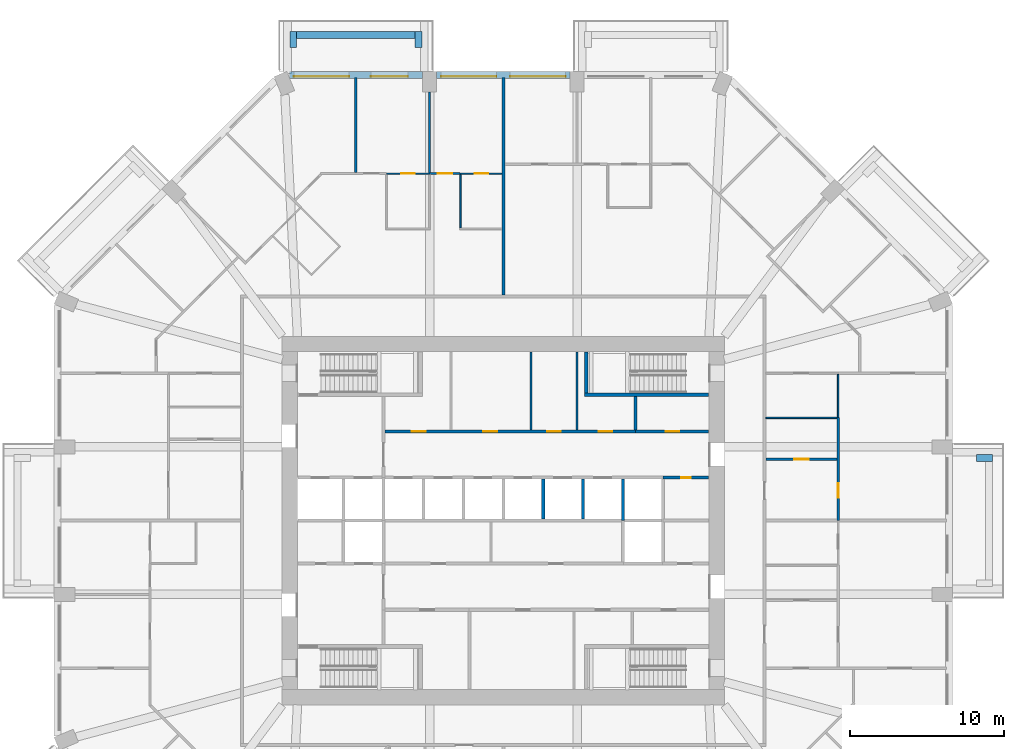
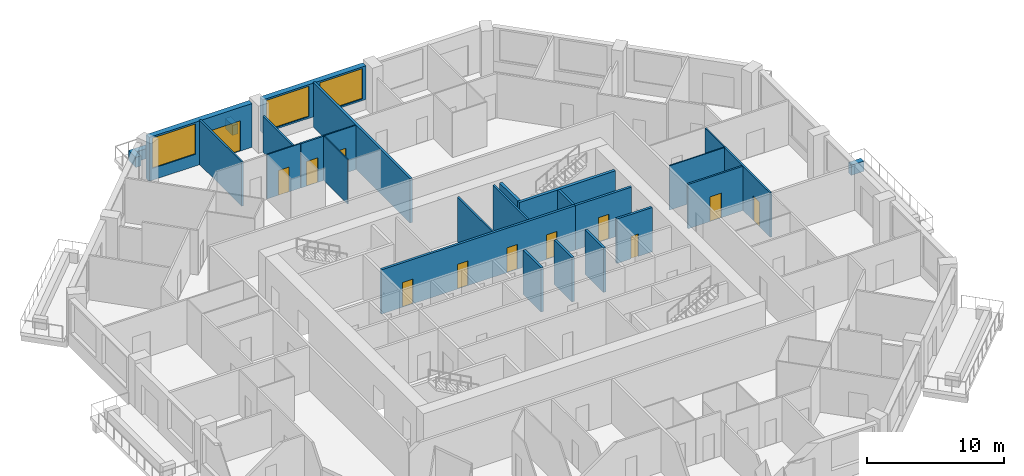
# One storey, part 9 of 13: 28 walls, 12 doors, 3 windows, 15 openings.
"""IFC4 building model written with IfcOpenShell, lengths in metres."""

from ifc_helpers import new_model, si_unit, direction, frame, frame_2d, origin, place, context, subcontext, project, spatial, rectangle, extrude, material, layer, layer_set, type_object, element, fill, save


model = new_model("IFC4")

# Units and contexts
model_context = context("Model", 3, precision=1e-05, world=origin(), true_north=direction((0.0, 1.0)))
body_context = subcontext(model_context, "Body", "Model", "MODEL_VIEW")
ifc_project = project(units=[si_unit("LENGTHUNIT", "METRE"), si_unit("AREAUNIT", "SQUARE_METRE"), si_unit("VOLUMEUNIT", "CUBIC_METRE"), si_unit("PLANEANGLEUNIT", "RADIAN"), si_unit("MASSUNIT", "GRAM", prefix="KILO")], contexts=[model_context])

# Site, building, storey
site_placement = place(None, origin())
site = spatial("IfcSite", under=ifc_project, at=site_placement, CompositionType="ELEMENT")
building_placement = place(site_placement, origin())
building = spatial("IfcBuilding", under=site, at=building_placement, Name="Msitu Wima Residences", CompositionType="ELEMENT")
storey_placement = place(building_placement, frame((0.0, 0.0, 42.300048828125)))
storey = spatial("IfcBuildingStorey", under=building, at=storey_placement, Name="L09", CompositionType="ELEMENT", Elevation=42.300048828125)

# Walls
ifc_material_1 = material(Name="Facing brick")
ifc_layer_1 = layer(ifc_material_1, 0.06494140625, Name="Facing brick")
ifc_material_2 = material(Name="Concrete C40/50", Category="concrete")
ifc_layer_2 = layer(ifc_material_2, 0.156005859375, Name="Concrete C40/50")
ifc_material_3 = material(Name="Waterproofing membrane")
ifc_layer_3 = layer(ifc_material_3, 0.00390625, Name="Waterproofing membrane")
ifc_material_4 = material(Name="Planting soil and planting")
ifc_layer_4 = layer(ifc_material_4, 0.22509765625, Name="Planting soil and planting")
ifc_layer_set_1 = layer_set([ifc_layer_1, ifc_layer_2, ifc_layer_3, ifc_layer_4], Name="Concrete C40/50")
wall_type_1 = type_object("IfcWallType", Name="Balcony planter PLANTER PL450", PredefinedType="USERDEFINED", material=ifc_layer_set_1)
wall_1_placement = place(storey_placement, frame((30.800048828125, 4.074951171875, 0.0), z_axis=(0.0, 0.0, 1.0), x_axis=(1.0, 0.0, 0.0)))
element("IfcWall", 1, at=wall_1_placement, inside=storey, type_object=wall_type_1, Name="Balcony planter E1 L09", ObjectType="PLANTER", PredefinedType="USERDEFINED", context=body_context, shape_type="SweptSolid", body=[
    extrude(rectangle(XDim=1.050048828125, YDim=0.449951171875, at=frame_2d((0.52490234375, 0.0))), origin(), (0.0, 0.0, 1.0), 0.89990234375),
])
wall_2_placement = place(storey_placement, frame((-5.75, 31.625, 0.0), z_axis=(0.0, 0.0, 1.0), x_axis=(-1.0, 0.0, 0.0)))
element("IfcWall", 2, at=wall_2_placement, inside=storey, type_object=wall_type_1, Name="Balcony planter N2 L09", ObjectType="PLANTER", PredefinedType="USERDEFINED", context=body_context, shape_type="SweptSolid", body=[
    extrude(rectangle(XDim=7.699951171875, YDim=0.449951171875, at=frame_2d((3.85009765625, 0.0))), origin(), (0.0, 0.0, 1.0), 0.89990234375),
])
for number, where, z_axis, x_axis, name in (
    (3, (-5.52490234375, 30.800048828125, 0.0), (0.0, 0.0, 1.0), (0.0, 1.0, 0.0), "Balcony planter N2 L09"),
    (4, (-13.675048828125, 30.800048828125, 0.0), (0.0, 0.0, 1.0), (0.0, 1.0, 0.0), "Balcony planter N2 L09"),
):
    element("IfcWall", number, at=place(storey_placement, frame(where, z_axis=z_axis, x_axis=x_axis)), inside=storey, type_object=wall_type_1, Name=name, ObjectType="PLANTER", PredefinedType="USERDEFINED", context=body_context, shape_type="SweptSolid", body=[
        extrude(rectangle(XDim=1.050048828125, YDim=0.449951171875, at=frame_2d((0.52490234375, 0.0))), origin(), (0.0, 0.0, 1.0), 0.89990234375),
    ])

# Wall, openings, windows
ifc_material_5 = material(Name="Brick (red buff mix)", Category="masonry")
ifc_layer_5 = layer(ifc_material_5, 0.449951171875)
ifc_layer_set_2 = layer_set([ifc_layer_5], Name="Brick (red buff mix)")
wall_type_2 = type_object("IfcWallType", Name="Brick infill wall BW450", PredefinedType="SOLIDWALL", material=ifc_layer_set_2)
wall_3_placement = place(storey_placement, frame((4.35009765625, 29.02490234375, 0.89990234375), z_axis=(0.0, 0.0, 1.0), x_axis=(-1.0, 0.0, 0.0)))
wall_3 = element("IfcWall", 5, at=wall_3_placement, inside=storey, type_object=wall_type_2, Name="Brick infill wall L09 N1", PredefinedType="SOLIDWALL", context=body_context, shape_type="SweptSolid", body=[
    extrude(rectangle(XDim=8.7001953125, YDim=0.449951171875, at=frame_2d((4.35009765625, 0.0))), origin(), (0.0, 0.0, 1.0), 3.0),
])
opening_1_placement = place(wall_3_placement, frame((0.300048828125, 0.0, 0.14990234375)))
opening_1 = element("IfcOpeningElement", 6, at=opening_1_placement, cuts=wall_3, Name="Opening W08-10.007", PredefinedType="OPENING", context=body_context, shape_type="SweptSolid", body=[
    extrude(rectangle(XDim=3.60009765625, YDim=2.699951171875, at=frame_2d((1.800048828125, 1.35009765625))), frame((0.0, 0.23486328125, 0.0), z_axis=(0.0, -1.0, 0.0), x_axis=(1.0, 0.0, 0.0)), (0.0, 0.0, 1.0), 0.469970703125),
])
opening_2_placement = place(wall_3_placement, frame((4.800048828125, 0.0, 0.14990234375)))
opening_2 = element("IfcOpeningElement", 7, at=opening_2_placement, cuts=wall_3, Name="Opening W08-10.008", PredefinedType="OPENING", context=body_context, shape_type="SweptSolid", body=[
    extrude(rectangle(XDim=3.60009765625, YDim=2.699951171875, at=frame_2d((1.800048828125, 1.35009765625))), frame((0.0, 0.23486328125, 0.0), z_axis=(0.0, -1.0, 0.0), x_axis=(1.0, 0.0, 0.0)), (0.0, 0.0, 1.0), 0.469970703125),
])
ifc_material_6 = material(Name="Anodised aluminium, bronze finish, clear low-emissivity double glazing", Category="aluminium")
window_type = type_object("IfcWindowType", Name="Window W3600x2700", PartitioningType="DOUBLE_PANEL_VERTICAL", PredefinedType="WINDOW", material=ifc_material_6)
window_1_placement = place(opening_1_placement, origin())
window_1 = element("IfcWindow", 8, at=window_1_placement, inside=storey, type_object=window_type, Name="Window L09 N1.1", OverallHeight=2.699951171875, OverallWidth=3.60009765625, PartitioningType="SINGLE_PANEL", PredefinedType="WINDOW", context=body_context, shape_type="SweptSolid", body=[
    extrude(rectangle(XDim=3.60009765625, YDim=2.699951171875, at=frame_2d((1.800048828125, 1.35009765625))), frame((0.0, 0.135009765625, 0.0), z_axis=(0.0, -1.0, 0.0), x_axis=(1.0, 0.0, 0.0)), (0.0, 0.0, 1.0), 0.06005859375),
])
fill(opening_1, window_1)
window_2_placement = place(opening_2_placement, origin())
window_2 = element("IfcWindow", 9, at=window_2_placement, inside=storey, type_object=window_type, Name="Window L09 N1.2", OverallHeight=2.699951171875, OverallWidth=3.60009765625, PartitioningType="SINGLE_PANEL", PredefinedType="WINDOW", context=body_context, shape_type="SweptSolid", body=[
    extrude(rectangle(XDim=3.60009765625, YDim=2.699951171875, at=frame_2d((1.800048828125, 1.35009765625))), frame((0.0, 0.135009765625, 0.0), z_axis=(0.0, -1.0, 0.0), x_axis=(1.0, 0.0, 0.0)), (0.0, 0.0, 1.0), 0.06005859375),
])
fill(opening_2, window_2)

# Wall, openings, door, window
wall_4_placement = place(storey_placement, frame((-5.25, 29.02490234375, 0.0), z_axis=(0.0, 0.0, 1.0), x_axis=(-1.0, 0.0, 0.0)))
wall_4 = element("IfcWall", 10, at=wall_4_placement, inside=storey, type_object=wall_type_2, Name="Brick infill wall L09 N2", PredefinedType="SOLIDWALL", context=body_context, shape_type="SweptSolid", body=[
    extrude(rectangle(XDim=8.662841796875, YDim=0.449951171875, at=frame_2d((4.33154296875, 0.0))), origin(), (0.0, 0.0, 1.0), 3.89990234375),
])
opening_3_placement = place(wall_4_placement, frame((0.9658203125, 0.0, 0.0)))
opening_3 = element("IfcOpeningElement", 11, at=opening_3_placement, cuts=wall_4, Name="Opening D08-10.003", PredefinedType="OPENING", context=body_context, shape_type="SweptSolid", body=[
    extrude(rectangle(XDim=2.39990234375, YDim=2.699951171875, at=frame_2d((1.199951171875, 1.35009765625))), frame((0.0, 0.23486328125, 0.0), z_axis=(0.0, -1.0, 0.0), x_axis=(1.0, 0.0, 0.0)), (0.0, 0.0, 1.0), 0.469970703125),
])
opening_4_placement = place(wall_4_placement, frame((4.781494140625, 0.0, 1.050048828125)))
opening_4 = element("IfcOpeningElement", 12, at=opening_4_placement, cuts=wall_4, Name="Opening W08-10.009", PredefinedType="OPENING", context=body_context, shape_type="SweptSolid", body=[
    extrude(rectangle(XDim=3.60009765625, YDim=2.699951171875, at=frame_2d((1.800048828125, 1.35009765625))), frame((0.0, 0.23486328125, 0.0), z_axis=(0.0, -1.0, 0.0), x_axis=(1.0, 0.0, 0.0)), (0.0, 0.0, 1.0), 0.469970703125),
])
door_type_1 = type_object("IfcDoorType", Name="Balcony door D2400x2700", OperationType="SLIDING_TO_LEFT", PredefinedType="DOOR", material=ifc_material_6)
door_1_placement = place(opening_3_placement, origin())
door_1 = element("IfcDoor", 13, at=door_1_placement, inside=storey, type_object=door_type_1, Name="Balcony door L09 N2", OperationType="SINGLE_SWING_LEFT", OverallHeight=2.699951171875, OverallWidth=2.39990234375, PredefinedType="DOOR", context=body_context, shape_type="SweptSolid", body=[
    extrude(rectangle(XDim=2.39990234375, YDim=2.699951171875, at=frame_2d((1.199951171875, 1.35009765625))), frame((0.0, 0.1298828125, 0.0), z_axis=(0.0, -1.0, 0.0), x_axis=(1.0, 0.0, 0.0)), (0.0, 0.0, 1.0), 0.050048828125),
])
fill(opening_3, door_1)
window_3_placement = place(opening_4_placement, origin())
window_3 = element("IfcWindow", 14, at=window_3_placement, inside=storey, type_object=window_type, Name="Window L09 N2.2", OverallHeight=2.699951171875, OverallWidth=3.60009765625, PartitioningType="SINGLE_PANEL", PredefinedType="WINDOW", context=body_context, shape_type="SweptSolid", body=[
    extrude(rectangle(XDim=3.60009765625, YDim=2.699951171875, at=frame_2d((1.800048828125, 1.35009765625))), frame((0.0, 0.135009765625, 0.0), z_axis=(0.0, -1.0, 0.0), x_axis=(1.0, 0.0, 0.0)), (0.0, 0.0, 1.0), 0.06005859375),
])
fill(opening_4, window_3)

# Wall, openings, doors
ifc_material_7 = material(Name="Plaster")
ifc_layer_6 = layer(ifc_material_7, 0.011962890625, Name="Plaster")
ifc_material_8 = material(Name="Concrete blockwork", Category="masonry")
ifc_layer_7 = layer(ifc_material_8, 0.176025390625, Name="Concrete blockwork")
ifc_layer_8 = layer(ifc_material_7, 0.011962890625, Name="Plaster")
ifc_layer_set_3 = layer_set([ifc_layer_6, ifc_layer_7, ifc_layer_8], Name="Concrete blockwork")
wall_type_3 = type_object("IfcWallType", Name="Corridor wall FW200", PredefinedType="PARTITIONING", material=ifc_layer_set_3)
wall_5_placement = place(storey_placement, frame((-7.699951171875, 5.800048828125, 0.0), z_axis=(0.0, 0.0, 1.0), x_axis=(1.0, 0.0, 0.0)))
wall_5 = element("IfcWall", 15, at=wall_5_placement, inside=storey, type_object=wall_type_3, Name="Corridor wall", PredefinedType="PARTITIONING", context=body_context, shape_type="SweptSolid", body=[
    extrude(rectangle(XDim=16.320068359375, YDim=0.199951171875, at=frame_2d((8.16015625, 0.0))), origin(), (0.0, 0.0, 1.0), 3.949951171875),
])
opening_5_placement = place(wall_5_placement, frame((1.75, 0.0, 0.0)))
opening_5 = element("IfcOpeningElement", 16, at=opening_5_placement, cuts=wall_5, Name="Opening D08-10.020", PredefinedType="OPENING", context=body_context, shape_type="SweptSolid", body=[
    extrude(rectangle(XDim=0.89990234375, YDim=2.199951171875, at=frame_2d((0.449951171875, 1.10009765625))), frame((0.0, 0.10986328125, 0.0), z_axis=(0.0, -1.0, 0.0), x_axis=(1.0, 0.0, 0.0)), (0.0, 0.0, 1.0), 0.219970703125),
])
opening_6_placement = place(wall_5_placement, frame((6.39990234375, 0.0, 0.0)))
opening_6 = element("IfcOpeningElement", 17, at=opening_6_placement, cuts=wall_5, Name="Opening D08-10.021", PredefinedType="OPENING", context=body_context, shape_type="SweptSolid", body=[
    extrude(rectangle(XDim=0.89990234375, YDim=2.199951171875, at=frame_2d((0.449951171875, 1.10009765625))), frame((0.0, 0.10986328125, 0.0), z_axis=(0.0, -1.0, 0.0), x_axis=(1.0, 0.0, 0.0)), (0.0, 0.0, 1.0), 0.219970703125),
])
opening_7_placement = place(wall_5_placement, frame((10.550048828125, 0.0, 0.0)))
opening_7 = element("IfcOpeningElement", 18, at=opening_7_placement, cuts=wall_5, Name="Opening D08-10.022", PredefinedType="OPENING", context=body_context, shape_type="SweptSolid", body=[
    extrude(rectangle(XDim=0.89990234375, YDim=2.199951171875, at=frame_2d((0.449951171875, 1.10009765625))), frame((0.0, 0.10986328125, 0.0), z_axis=(0.0, -1.0, 0.0), x_axis=(1.0, 0.0, 0.0)), (0.0, 0.0, 1.0), 0.219970703125),
])
opening_8_placement = place(wall_5_placement, frame((13.89990234375, 0.0, 0.0)))
opening_8 = element("IfcOpeningElement", 19, at=opening_8_placement, cuts=wall_5, Name="Opening D08-10.023", PredefinedType="OPENING", context=body_context, shape_type="SweptSolid", body=[
    extrude(rectangle(XDim=0.89990234375, YDim=2.199951171875, at=frame_2d((0.449951171875, 1.10009765625))), frame((0.0, 0.10986328125, 0.0), z_axis=(0.0, -1.0, 0.0), x_axis=(1.0, 0.0, 0.0)), (0.0, 0.0, 1.0), 0.219970703125),
])
ifc_material_9 = material(Name="Timber flush door", Category="wood")
door_type_2 = type_object("IfcDoorType", Name="Service door D05 900x2200", OperationType="SINGLE_SWING_LEFT", PredefinedType="DOOR", material=ifc_material_9)
door_2_placement = place(opening_5_placement, origin())
door_2 = element("IfcDoor", 20, at=door_2_placement, inside=storey, type_object=door_type_2, Name="Service door", OperationType="SINGLE_SWING_RIGHT", OverallHeight=2.199951171875, OverallWidth=0.89990234375, PredefinedType="DOOR", context=body_context, shape_type="SweptSolid", body=[
    extrude(rectangle(XDim=0.89990234375, YDim=2.199951171875, at=frame_2d((0.449951171875, 1.10009765625))), frame((0.0, 0.02490234375, 0.0), z_axis=(0.0, -1.0, 0.0), x_axis=(1.0, 0.0, 0.0)), (0.0, 0.0, 1.0), 0.050048828125),
])
fill(opening_5, door_2)
door_3_placement = place(opening_6_placement, origin())
door_3 = element("IfcDoor", 21, at=door_3_placement, inside=storey, type_object=door_type_2, Name="Service door", OperationType="SINGLE_SWING_LEFT", OverallHeight=2.199951171875, OverallWidth=0.89990234375, PredefinedType="DOOR", context=body_context, shape_type="SweptSolid", body=[
    extrude(rectangle(XDim=0.89990234375, YDim=2.199951171875, at=frame_2d((0.449951171875, 1.10009765625))), frame((0.0, 0.02490234375, 0.0), z_axis=(0.0, -1.0, 0.0), x_axis=(1.0, 0.0, 0.0)), (0.0, 0.0, 1.0), 0.050048828125),
])
fill(opening_6, door_3)
door_4_placement = place(opening_7_placement, origin())
door_4 = element("IfcDoor", 22, at=door_4_placement, inside=storey, type_object=door_type_2, Name="Service door", OperationType="SINGLE_SWING_RIGHT", OverallHeight=2.199951171875, OverallWidth=0.89990234375, PredefinedType="DOOR", context=body_context, shape_type="SweptSolid", body=[
    extrude(rectangle(XDim=0.89990234375, YDim=2.199951171875, at=frame_2d((0.449951171875, 1.10009765625))), frame((0.0, 0.02490234375, 0.0), z_axis=(0.0, -1.0, 0.0), x_axis=(1.0, 0.0, 0.0)), (0.0, 0.0, 1.0), 0.050048828125),
])
fill(opening_7, door_4)
door_5_placement = place(opening_8_placement, origin())
door_5 = element("IfcDoor", 23, at=door_5_placement, inside=storey, type_object=door_type_2, Name="Service door", OperationType="SINGLE_SWING_LEFT", OverallHeight=2.199951171875, OverallWidth=0.89990234375, PredefinedType="DOOR", context=body_context, shape_type="SweptSolid", body=[
    extrude(rectangle(XDim=0.89990234375, YDim=2.199951171875, at=frame_2d((0.449951171875, 1.10009765625))), frame((0.0, 0.02490234375, 0.0), z_axis=(0.0, -1.0, 0.0), x_axis=(1.0, 0.0, 0.0)), (0.0, 0.0, 1.0), 0.050048828125),
])
fill(opening_8, door_5)

# Walls
ifc_layer_9 = layer(ifc_material_7, 0.011962890625, Name="Plaster")
ifc_layer_10 = layer(ifc_material_8, 0.1259765625, Name="Concrete blockwork")
ifc_layer_11 = layer(ifc_material_7, 0.011962890625, Name="Plaster")
ifc_layer_set_4 = layer_set([ifc_layer_9, ifc_layer_10, ifc_layer_11], Name="Concrete blockwork")
wall_type_4 = type_object("IfcWallType", Name="Partition PW150", PredefinedType="PARTITIONING", material=ifc_layer_set_4)
wall_6_placement = place(storey_placement, frame((-9.60009765625, 22.675048828125, 0.0), z_axis=(0.0, 0.0, 1.0), x_axis=(0.0, 1.0, 0.0)))
element("IfcWall", 24, at=wall_6_placement, inside=storey, type_object=wall_type_4, Name="Partition", PredefinedType="PARTITIONING", context=body_context, shape_type="SweptSolid", body=[
    extrude(rectangle(XDim=6.179931640625, YDim=0.14990234375, at=frame_2d((3.08984375, 0.0))), origin(), (0.0, 0.0, 1.0), 3.949951171875),
])
wall_7_placement = place(storey_placement, frame((-4.800048828125, 22.580078125, 0.0), z_axis=(0.0, 0.0, 1.0), x_axis=(0.0, 1.0, 0.0)))
element("IfcWall", 25, at=wall_7_placement, inside=storey, type_object=wall_type_4, Name="Partition", PredefinedType="PARTITIONING", context=body_context, shape_type="SweptSolid", body=[
    extrude(rectangle(XDim=5.31982421875, YDim=0.14990234375, at=frame_2d((2.659912109375, 0.0))), origin(), (0.0, 0.0, 1.0), 3.199951171875),
])

# Wall, opening, door
wall_8_placement = place(storey_placement, frame((-4.780029296875, 22.60009765625, 0.0), z_axis=(0.0, 0.0, 1.0), x_axis=(1.0, 0.0, 0.0)))
wall_8 = element("IfcWall", 26, at=wall_8_placement, inside=storey, type_object=wall_type_4, Name="Partition", PredefinedType="PARTITIONING", context=body_context, shape_type="SweptSolid", body=[
    extrude(rectangle(XDim=1.9599609375, YDim=0.14990234375, at=frame_2d((0.97998046875, 0.0))), origin(), (0.0, 0.0, 1.0), 3.949951171875),
])
opening_9_placement = place(wall_8_placement, frame((0.5, 0.0, 0.0)))
opening_9 = element("IfcOpeningElement", 27, at=opening_9_placement, cuts=wall_8, Name="Opening D08-10.051", PredefinedType="OPENING", context=body_context, shape_type="SweptSolid", body=[
    extrude(rectangle(XDim=0.949951171875, YDim=2.199951171875, at=frame_2d((0.47509765625, 1.10009765625))), frame((0.0, 0.0849609375, 0.0), z_axis=(0.0, -1.0, 0.0), x_axis=(1.0, 0.0, 0.0)), (0.0, 0.0, 1.0), 0.169921875),
])
door_type_3 = type_object("IfcDoorType", Name="Room door D12 950x2200", OperationType="SINGLE_SWING_LEFT", PredefinedType="DOOR", material=ifc_material_9)
door_6_placement = place(opening_9_placement, origin())
door_6 = element("IfcDoor", 28, at=door_6_placement, inside=storey, type_object=door_type_3, Name="Room door", OperationType="SINGLE_SWING_LEFT", OverallHeight=2.199951171875, OverallWidth=0.949951171875, PredefinedType="DOOR", context=body_context, shape_type="SweptSolid", body=[
    extrude(rectangle(XDim=0.949951171875, YDim=2.199951171875, at=frame_2d((0.47509765625, 1.10009765625))), frame((0.0, 0.02490234375, 0.0), z_axis=(0.0, -1.0, 0.0), x_axis=(1.0, 0.0, 0.0)), (0.0, 0.0, 1.0), 0.050048828125),
])
fill(opening_9, door_6)

# Walls
for number, where, z_axis, x_axis, name in (
    (29, (1.800048828125, 5.89990234375, 0.0), (0.0, 0.0, 1.0), (0.0, 1.0, 0.0), "Partition"),
    (30, (4.800048828125, 5.89990234375, 0.0), (0.0, 0.0, 1.0), (0.0, 1.0, 0.0), "Partition"),
):
    element("IfcWall", number, at=place(storey_placement, frame(where, z_axis=z_axis, x_axis=x_axis)), inside=storey, type_object=wall_type_4, Name=name, PredefinedType="PARTITIONING", context=body_context, shape_type="SweptSolid", body=[
        extrude(rectangle(XDim=5.070068359375, YDim=0.14990234375, at=frame_2d((2.53515625, 0.0))), origin(), (0.0, 0.0, 1.0), 3.949951171875),
    ])

# Wall, opening, door
wall_9_placement = place(storey_placement, frame((17.10009765625, 4.0, 0.0), z_axis=(0.0, 0.0, 1.0), x_axis=(1.0, 0.0, 0.0)))
wall_9 = element("IfcWall", 31, at=wall_9_placement, inside=storey, type_object=wall_type_4, Name="Partition", PredefinedType="PARTITIONING", context=body_context, shape_type="SweptSolid", body=[
    extrude(rectangle(XDim=4.625, YDim=0.14990234375, at=frame_2d((2.3125, 0.0))), origin(), (0.0, 0.0, 1.0), 3.949951171875),
])
opening_10_placement = place(wall_9_placement, frame((1.85009765625, 0.0, 0.0)))
opening_10 = element("IfcOpeningElement", 32, at=opening_10_placement, cuts=wall_9, Name="Opening D08-10.063", PredefinedType="OPENING", context=body_context, shape_type="SweptSolid", body=[
    extrude(rectangle(XDim=0.949951171875, YDim=2.199951171875, at=frame_2d((0.47509765625, 1.10009765625))), frame((0.0, 0.0849609375, 0.0), z_axis=(0.0, -1.0, 0.0), x_axis=(1.0, 0.0, 0.0)), (0.0, 0.0, 1.0), 0.169921875),
])
door_7_placement = place(opening_10_placement, origin())
door_7 = element("IfcDoor", 33, at=door_7_placement, inside=storey, type_object=door_type_3, Name="Room door", OperationType="SINGLE_SWING_RIGHT", OverallHeight=2.199951171875, OverallWidth=0.949951171875, PredefinedType="DOOR", context=body_context, shape_type="SweptSolid", body=[
    extrude(rectangle(XDim=0.949951171875, YDim=2.199951171875, at=frame_2d((0.47509765625, 1.10009765625))), frame((0.0, 0.02490234375, 0.0), z_axis=(0.0, -1.0, 0.0), x_axis=(1.0, 0.0, 0.0)), (0.0, 0.0, 1.0), 0.050048828125),
])
fill(opening_10, door_7)

wall_10_placement = place(storey_placement, frame((21.800048828125, 0.0, 0.0), z_axis=(0.0, 0.0, 1.0), x_axis=(0.0, 1.0, 0.0)))
wall_10 = element("IfcWall", 34, at=wall_10_placement, inside=storey, type_object=wall_type_4, Name="Partition", PredefinedType="PARTITIONING", context=body_context, shape_type="SweptSolid", body=[
    extrude(rectangle(XDim=6.719970703125, YDim=0.14990234375, at=frame_2d((3.35986328125, 0.0))), origin(), (0.0, 0.0, 1.0), 3.949951171875),
])
opening_11_placement = place(wall_10_placement, frame((1.5, 0.0, 0.0)))
opening_11 = element("IfcOpeningElement", 35, at=opening_11_placement, cuts=wall_10, Name="Opening D08-10.041", PredefinedType="OPENING", context=body_context, shape_type="SweptSolid", body=[
    extrude(rectangle(XDim=0.949951171875, YDim=2.199951171875, at=frame_2d((0.47509765625, 1.10009765625))), frame((0.0, 0.0849609375, 0.0), z_axis=(0.0, -1.0, 0.0), x_axis=(1.0, 0.0, 0.0)), (0.0, 0.0, 1.0), 0.169921875),
])
door_8_placement = place(opening_11_placement, origin())
door_8 = element("IfcDoor", 36, at=door_8_placement, inside=storey, type_object=door_type_3, Name="Room door", OperationType="SINGLE_SWING_RIGHT", OverallHeight=2.199951171875, OverallWidth=0.949951171875, PredefinedType="DOOR", context=body_context, shape_type="SweptSolid", body=[
    extrude(rectangle(XDim=0.949951171875, YDim=2.199951171875, at=frame_2d((0.47509765625, 1.10009765625))), frame((0.0, 0.02490234375, 0.0), z_axis=(0.0, -1.0, 0.0), x_axis=(1.0, 0.0, 0.0)), (0.0, 0.0, 1.0), 0.050048828125),
])
fill(opening_11, door_8)

# Wall
ifc_layer_12 = layer(ifc_material_7, 0.011962890625, Name="Plaster")
ifc_material_10 = material(Name="Dense concrete blockwork", Category="masonry")
ifc_layer_13 = layer(ifc_material_10, 0.176025390625, Name="Dense concrete blockwork")
ifc_layer_14 = layer(ifc_material_7, 0.011962890625, Name="Plaster")
ifc_layer_set_5 = layer_set([ifc_layer_12, ifc_layer_13, ifc_layer_14], Name="Dense concrete blockwork")
wall_type_5 = type_object("IfcWallType", Name="Party wall PW200", PredefinedType="PARTITIONING", material=ifc_layer_set_5)
wall_11_placement = place(storey_placement, frame((0.0, 14.699951171875, 0.0), z_axis=(0.0, 0.0, 1.0), x_axis=(0.0, 1.0, 0.0)))
element("IfcWall", 37, at=wall_11_placement, inside=storey, type_object=wall_type_5, Name="Party wall", PredefinedType="PARTITIONING", context=body_context, shape_type="SweptSolid", body=[
    extrude(rectangle(XDim=14.155029296875, YDim=0.199951171875, at=frame_2d((7.07763671875, 0.0))), origin(), (0.0, 0.0, 1.0), 3.949951171875),
])

# Wall, opening, door
ifc_layer_15 = layer(ifc_material_7, 0.011962890625, Name="Plaster")
ifc_material_11 = material(Name="Reinforced concrete blockwork", Category="masonry")
ifc_layer_16 = layer(ifc_material_11, 0.176025390625, Name="Reinforced concrete blockwork")
ifc_layer_17 = layer(ifc_material_7, 0.011962890625, Name="Plaster")
ifc_layer_set_6 = layer_set([ifc_layer_15, ifc_layer_16, ifc_layer_17], Name="Reinforced concrete blockwork")
wall_type_6 = type_object("IfcWallType", Name="Plant and riser wall PL200", PredefinedType="PARTITIONING", material=ifc_layer_set_6)
wall_12_placement = place(storey_placement, frame((8.6201171875, 5.800048828125, 0.0), z_axis=(0.0, 0.0, 1.0), x_axis=(1.0, 0.0, 0.0)))
wall_12 = element("IfcWall", 38, at=wall_12_placement, inside=storey, type_object=wall_type_6, Name="Plant and riser wall", PredefinedType="PARTITIONING", context=body_context, shape_type="SweptSolid", body=[
    extrude(rectangle(XDim=4.75, YDim=0.199951171875, at=frame_2d((2.375, 0.0))), origin(), (0.0, 0.0, 1.0), 3.949951171875),
])
opening_12_placement = place(wall_12_placement, frame((1.949951171875, 0.0, 0.0)))
opening_12 = element("IfcOpeningElement", 39, at=opening_12_placement, cuts=wall_12, Name="Opening D08-10.024", PredefinedType="OPENING", context=body_context, shape_type="SweptSolid", body=[
    extrude(rectangle(XDim=0.89990234375, YDim=2.199951171875, at=frame_2d((0.449951171875, 1.10009765625))), frame((0.0, 0.10986328125, 0.0), z_axis=(0.0, -1.0, 0.0), x_axis=(1.0, 0.0, 0.0)), (0.0, 0.0, 1.0), 0.219970703125),
])
door_9_placement = place(opening_12_placement, origin())
door_9 = element("IfcDoor", 40, at=door_9_placement, inside=storey, type_object=door_type_2, Name="Service door", OperationType="SINGLE_SWING_LEFT", OverallHeight=2.199951171875, OverallWidth=0.89990234375, PredefinedType="DOOR", context=body_context, shape_type="SweptSolid", body=[
    extrude(rectangle(XDim=0.89990234375, YDim=2.199951171875, at=frame_2d((0.449951171875, 1.10009765625))), frame((0.0, 0.02490234375, 0.0), z_axis=(0.0, -1.0, 0.0), x_axis=(1.0, 0.0, 0.0)), (0.0, 0.0, 1.0), 0.050048828125),
])
fill(opening_12, door_9)

# Wall
wall_13_placement = place(storey_placement, frame((8.60009765625, 5.89990234375, 0.0), z_axis=(0.0, 0.0, 1.0), x_axis=(0.0, 1.0, 0.0)))
element("IfcWall", 41, at=wall_13_placement, inside=storey, type_object=wall_type_6, Name="Plant and riser wall", PredefinedType="PARTITIONING", context=body_context, shape_type="SweptSolid", body=[
    extrude(rectangle(XDim=2.175048828125, YDim=0.199951171875, at=frame_2d((1.08740234375, 0.0))), origin(), (0.0, 0.0, 1.0), 3.949951171875),
])

# Wall, opening, door
wall_14_placement = place(storey_placement, frame((10.39990234375, 2.800048828125, 0.0), z_axis=(0.0, 0.0, 1.0), x_axis=(1.0, 0.0, 0.0)))
wall_14 = element("IfcWall", 42, at=wall_14_placement, inside=storey, type_object=wall_type_6, Name="Plant and riser wall", PredefinedType="PARTITIONING", context=body_context, shape_type="SweptSolid", body=[
    extrude(rectangle(XDim=2.97021484375, YDim=0.199951171875, at=frame_2d((1.485107421875, 0.0))), origin(), (0.0, 0.0, 1.0), 3.949951171875),
])
opening_13_placement = place(wall_14_placement, frame((1.199951171875, 0.0, 0.0)))
opening_13 = element("IfcOpeningElement", 43, at=opening_13_placement, cuts=wall_14, Name="Opening D08-10.031", PredefinedType="OPENING", context=body_context, shape_type="SweptSolid", body=[
    extrude(rectangle(XDim=0.60009765625, YDim=2.0, at=frame_2d((0.300048828125, 1.0))), frame((0.0, 0.10986328125, 0.0), z_axis=(0.0, -1.0, 0.0), x_axis=(1.0, 0.0, 0.0)), (0.0, 0.0, 1.0), 0.219970703125),
])
ifc_material_12 = material(Name="Steel access door, fire resisting", Category="steel")
door_type_4 = type_object("IfcDoorType", Name="Riser access door D08 600x2000", OperationType="SINGLE_SWING_LEFT", PredefinedType="DOOR", material=ifc_material_12)
door_10_placement = place(opening_13_placement, origin())
door_10 = element("IfcDoor", 44, at=door_10_placement, inside=storey, type_object=door_type_4, Name="Riser access door", OperationType="SINGLE_SWING_RIGHT", OverallHeight=2.0, OverallWidth=0.60009765625, PredefinedType="DOOR", context=body_context, shape_type="SweptSolid", body=[
    extrude(rectangle(XDim=0.60009765625, YDim=2.0, at=frame_2d((0.300048828125, 1.0))), frame((0.0, 0.02490234375, 0.0), z_axis=(0.0, -1.0, 0.0), x_axis=(1.0, 0.0, 0.0)), (0.0, 0.0, 1.0), 0.050048828125),
])
fill(opening_13, door_10)

# Walls
ifc_material_13 = material(Name="Fire-rated board")
ifc_layer_18 = layer(ifc_material_13, 0.02490234375, Name="Fire-rated board")
ifc_material_14 = material(Name="Light-gauge stud framing with mineral wool")
ifc_layer_19 = layer(ifc_material_14, 0.14990234375, Name="Light-gauge stud framing with mineral wool")
ifc_layer_20 = layer(ifc_material_13, 0.02490234375, Name="Fire-rated board")
ifc_layer_set_7 = layer_set([ifc_layer_18, ifc_layer_19, ifc_layer_20], Name="Light-gauge stud framing with mineral wool")
wall_type_7 = type_object("IfcWallType", Name="Shaft wall SH200", PredefinedType="PARTITIONING", material=ifc_layer_set_7)
for number, where, z_axis, x_axis, name in (
    (45, (2.60009765625, 0.10009765625, 0.0), (0.0, 0.0, 1.0), (0.0, 1.0, 0.0), "Shaft wall"),
    (46, (5.199951171875, 0.10009765625, 0.0), (0.0, 0.0, 1.0), (0.0, 1.0, 0.0), "Shaft wall"),
):
    element("IfcWall", number, at=place(storey_placement, frame(where, z_axis=z_axis, x_axis=x_axis)), inside=storey, type_object=wall_type_7, Name=name, PredefinedType="PARTITIONING", context=body_context, shape_type="SweptSolid", body=[
        extrude(rectangle(XDim=2.599853515625, YDim=0.199951171875, at=frame_2d((1.2998046875, 0.0))), origin(), (0.0, 0.0, 1.0), 3.949951171875),
    ])
wall_15_placement = place(storey_placement, frame((7.800048828125, 0.0, 0.0), z_axis=(0.0, 0.0, 1.0), x_axis=(0.0, 1.0, 0.0)))
element("IfcWall", 47, at=wall_15_placement, inside=storey, type_object=wall_type_7, Name="Shaft wall", PredefinedType="PARTITIONING", context=body_context, shape_type="SweptSolid", body=[
    extrude(rectangle(XDim=2.699951171875, YDim=0.199951171875, at=frame_2d((1.35009765625, 0.0))), origin(), (0.0, 0.0, 1.0), 3.949951171875),
])
ifc_material_15 = material(Name="Concrete C50/60", Category="concrete")
ifc_layer_21 = layer(ifc_material_15, 0.25)
ifc_layer_set_8 = layer_set([ifc_layer_21], Name="Concrete C50/60")
wall_type_8 = type_object("IfcWallType", Name="Stair enclosure wall SW250", PredefinedType="SHEAR", material=ifc_layer_set_8)
wall_16_placement = place(storey_placement, frame((5.39990234375, 8.324951171875, 0.0), z_axis=(0.0, 0.0, 1.0), x_axis=(0.0, 1.0, 0.0)))
element("IfcWall", 48, at=wall_16_placement, inside=storey, type_object=wall_type_8, Name="Stair enclosure wall", PredefinedType="SHEAR", context=body_context, shape_type="SweptSolid", body=[
    extrude(rectangle(XDim=2.64501953125, YDim=0.25, at=frame_2d((1.322509765625, 0.0))), origin(), (0.0, 0.0, 1.0), 3.949951171875),
])
wall_17_placement = place(storey_placement, frame((5.27490234375, 8.199951171875, 0.0), z_axis=(0.0, 0.0, 1.0), x_axis=(1.0, 0.0, 0.0)))
element("IfcWall", 49, at=wall_17_placement, inside=storey, type_object=wall_type_8, Name="Stair enclosure wall", PredefinedType="SHEAR", context=body_context, shape_type="SweptSolid", body=[
    extrude(rectangle(XDim=8.09521484375, YDim=0.25, at=frame_2d((4.047607421875, 0.0))), origin(), (0.0, 0.0, 1.0), 3.949951171875),
])

# Wall, opening, door
ifc_material_16 = material(Name="Ceramic tiles")
ifc_layer_22 = layer(ifc_material_16, 0.008056640625, Name="Ceramic tiles")
ifc_material_17 = material(Name="Moisture-resistant board")
ifc_layer_23 = layer(ifc_material_17, 0.012451171875, Name="Moisture-resistant board")
ifc_layer_24 = layer(ifc_material_14, 0.06689453125, Name="Light-gauge stud framing with mineral wool")
ifc_layer_25 = layer(ifc_material_17, 0.012451171875, Name="Moisture-resistant board")
ifc_layer_set_9 = layer_set([ifc_layer_22, ifc_layer_23, ifc_layer_24, ifc_layer_25], Name="Light-gauge stud framing with mineral wool")
wall_type_9 = type_object("IfcWallType", Name="Wet wall PW100", PredefinedType="PARTITIONING", material=ifc_layer_set_9)
wall_18_placement = place(storey_placement, frame((-7.60009765625, 22.60009765625, 0.0), z_axis=(0.0, 0.0, 1.0), x_axis=(1.0, 0.0, 0.0)))
wall_18 = element("IfcWall", 50, at=wall_18_placement, inside=storey, type_object=wall_type_9, Name="Wet wall", PredefinedType="PARTITIONING", context=body_context, shape_type="SweptSolid", body=[
    extrude(rectangle(XDim=2.820068359375, YDim=0.10009765625, at=frame_2d((1.41015625, 0.0))), origin(), (0.0, 0.0, 1.0), 3.949951171875),
])
opening_14_placement = place(wall_18_placement, frame((0.949951171875, 0.0, 0.0)))
opening_14 = element("IfcOpeningElement", 51, at=opening_14_placement, cuts=wall_18, Name="Opening D08-10.050", PredefinedType="OPENING", context=body_context, shape_type="SweptSolid", body=[
    extrude(rectangle(XDim=0.89990234375, YDim=2.199951171875, at=frame_2d((0.449951171875, 1.10009765625))), frame((0.0, 0.06005859375, 0.0), z_axis=(0.0, -1.0, 0.0), x_axis=(1.0, 0.0, 0.0)), (0.0, 0.0, 1.0), 0.1201171875),
])
ifc_material_18 = material(Name="Timber flush door, moisture resistant", Category="wood")
door_type_5 = type_object("IfcDoorType", Name="Bathroom door D03 900x2200", OperationType="SINGLE_SWING_LEFT", PredefinedType="DOOR", material=ifc_material_18)
door_11_placement = place(opening_14_placement, origin())
door_11 = element("IfcDoor", 52, at=door_11_placement, inside=storey, type_object=door_type_5, Name="Bathroom door", OperationType="SINGLE_SWING_RIGHT", OverallHeight=2.199951171875, OverallWidth=0.89990234375, PredefinedType="DOOR", context=body_context, shape_type="SweptSolid", body=[
    extrude(rectangle(XDim=0.89990234375, YDim=2.199951171875, at=frame_2d((0.449951171875, 1.10009765625))), frame((0.0, 0.02490234375, 0.0), z_axis=(0.0, -1.0, 0.0), x_axis=(1.0, 0.0, 0.0)), (0.0, 0.0, 1.0), 0.050048828125),
])
fill(opening_14, door_11)

wall_19_placement = place(storey_placement, frame((-2.820068359375, 22.60009765625, 0.0), z_axis=(0.0, 0.0, 1.0), x_axis=(1.0, 0.0, 0.0)))
wall_19 = element("IfcWall", 53, at=wall_19_placement, inside=storey, type_object=wall_type_9, Name="Wet wall", PredefinedType="PARTITIONING", context=body_context, shape_type="SweptSolid", body=[
    extrude(rectangle(XDim=2.719970703125, YDim=0.10009765625, at=frame_2d((1.35986328125, 0.0))), origin(), (0.0, 0.0, 1.0), 3.949951171875),
])
opening_15_placement = place(wall_19_placement, frame((0.949951171875, 0.0, 0.0)))
opening_15 = element("IfcOpeningElement", 54, at=opening_15_placement, cuts=wall_19, Name="Opening D08-10.053", PredefinedType="OPENING", context=body_context, shape_type="SweptSolid", body=[
    extrude(rectangle(XDim=0.89990234375, YDim=2.199951171875, at=frame_2d((0.449951171875, 1.10009765625))), frame((0.0, 0.06005859375, 0.0), z_axis=(0.0, -1.0, 0.0), x_axis=(1.0, 0.0, 0.0)), (0.0, 0.0, 1.0), 0.1201171875),
])
door_12_placement = place(opening_15_placement, origin())
door_12 = element("IfcDoor", 55, at=door_12_placement, inside=storey, type_object=door_type_5, Name="Bathroom door", OperationType="SINGLE_SWING_LEFT", OverallHeight=2.199951171875, OverallWidth=0.89990234375, PredefinedType="DOOR", context=body_context, shape_type="SweptSolid", body=[
    extrude(rectangle(XDim=0.89990234375, YDim=2.199951171875, at=frame_2d((0.449951171875, 1.10009765625))), frame((0.0, 0.02490234375, 0.0), z_axis=(0.0, -1.0, 0.0), x_axis=(1.0, 0.0, 0.0)), (0.0, 0.0, 1.0), 0.050048828125),
])
fill(opening_15, door_12)

# Walls
wall_20_placement = place(storey_placement, frame((-2.800048828125, 19.050048828125, 0.0), z_axis=(0.0, 0.0, 1.0), x_axis=(0.0, 1.0, 0.0)))
element("IfcWall", 56, at=wall_20_placement, inside=storey, type_object=wall_type_9, Name="Wet wall", PredefinedType="PARTITIONING", context=body_context, shape_type="SweptSolid", body=[
    extrude(rectangle(XDim=3.474853515625, YDim=0.10009765625, at=frame_2d((1.7373046875, 0.0))), origin(), (0.0, 0.0, 1.0), 3.949951171875),
])
wall_21_placement = place(storey_placement, frame((17.10009765625, 6.699951171875, 0.0), z_axis=(0.0, 0.0, 1.0), x_axis=(1.0, 0.0, 0.0)))
element("IfcWall", 57, at=wall_21_placement, inside=storey, type_object=wall_type_9, Name="Wet wall", PredefinedType="PARTITIONING", context=body_context, shape_type="SweptSolid", body=[
    extrude(rectangle(XDim=4.625, YDim=0.10009765625, at=frame_2d((2.3125, 0.0))), origin(), (0.0, 0.0, 1.0), 3.949951171875),
])
wall_22_placement = place(storey_placement, frame((21.800048828125, 6.719970703125, 0.0), z_axis=(0.0, 0.0, 1.0), x_axis=(0.0, 1.0, 0.0)))
element("IfcWall", 58, at=wall_22_placement, inside=storey, type_object=wall_type_9, Name="Wet wall", PredefinedType="PARTITIONING", context=body_context, shape_type="SweptSolid", body=[
    extrude(rectangle(XDim=2.804931640625, YDim=0.10009765625, at=frame_2d((1.40234375, 0.0))), origin(), (0.0, 0.0, 1.0), 3.949951171875),
])

save(model, "model.ifc")
